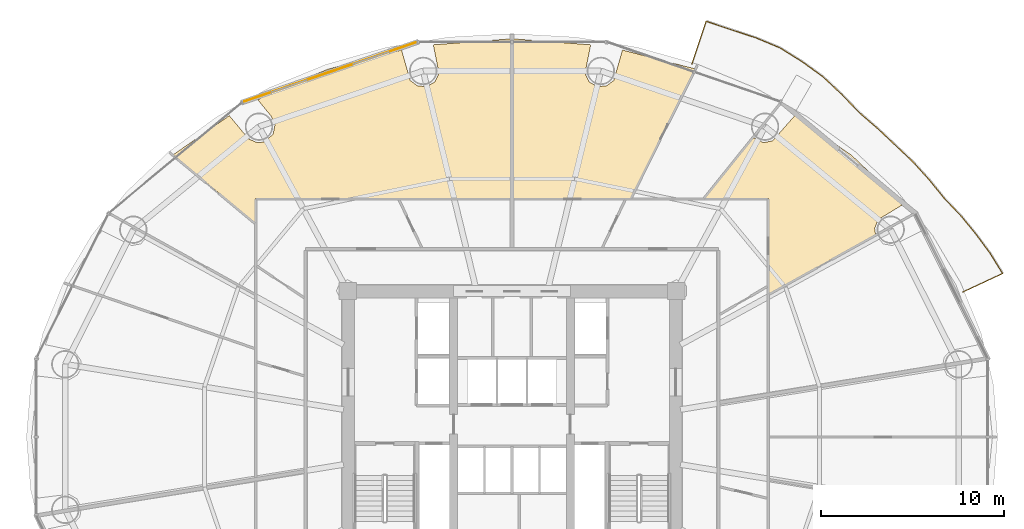
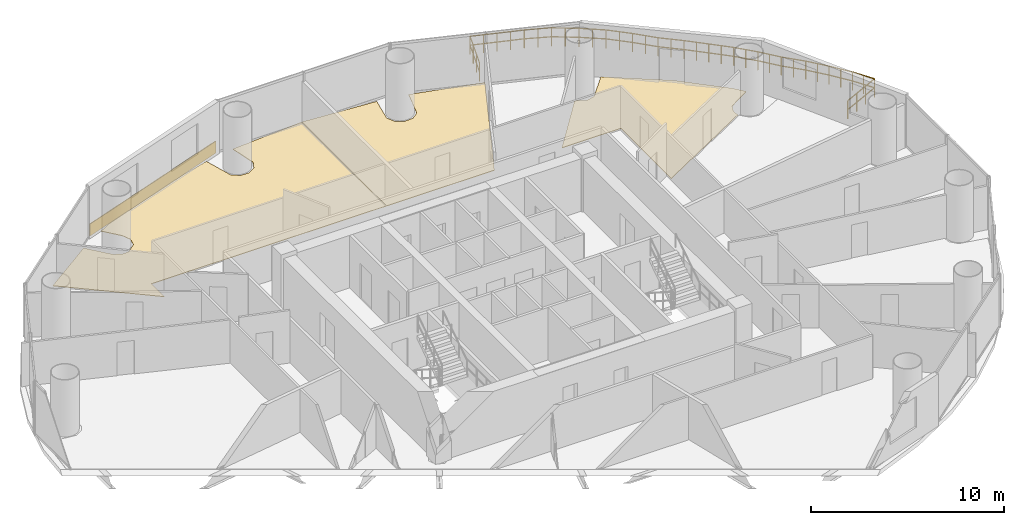
# One storey, part 29 of 29: 4 coverings, 1 railing.
"""IFC4 building model written with IfcOpenShell, lengths in metres."""

from ifc_helpers import new_model, si_unit, direction, frame, origin, origin_2d, place, context, subcontext, project, spatial, polyline, rectangle, outline, extrude, source, transform, mapped, material, layer, layer_set, type_object, element, save


model = new_model("IFC4")

# Units and contexts
model_context = context("Model", 3, precision=1e-05, world=origin(), true_north=direction((-0.2419218956, 0.970295726276)))
body_context = subcontext(model_context, "Body", "Model", "MODEL_VIEW")
ifc_project = project(units=[si_unit("LENGTHUNIT", "METRE"), si_unit("AREAUNIT", "SQUARE_METRE"), si_unit("VOLUMEUNIT", "CUBIC_METRE"), si_unit("PLANEANGLEUNIT", "RADIAN"), si_unit("MASSUNIT", "GRAM", prefix="KILO")], contexts=[model_context])

# Site, building, storey
site_placement = place(None, origin())
site = spatial("IfcSite", under=ifc_project, at=site_placement, CompositionType="ELEMENT")
building_placement = place(site_placement, origin())
building = spatial("IfcBuilding", under=site, at=building_placement, Name="Cobrevalo Terracotta Tower", CompositionType="ELEMENT")
storey_placement = place(building_placement, frame((0.0, 0.0, 87.0)))
storey = spatial("IfcBuildingStorey", under=building, at=storey_placement, Name="L22", CompositionType="ELEMENT", Elevation=87.0)

# Railing
ifc_material_1 = material(Name="Laminated structural glass and stainless steel", Category="steel")
railing_type = type_object("IfcRailingType", Name="Balcony lobe structural glass & terracotta-cap balustrade 1180 mm", PredefinedType="BALUSTRADE", material=ifc_material_1)
railing_placement = place(storey_placement, frame((62.689697265625, 34.739501953125, 0.0)))
element("IfcRailing", 1, at=railing_placement, inside=storey, type_object=railing_type, Name="L22 spiralling balcony lobe balustrade 1", PredefinedType="BALUSTRADE", context=body_context, shape_type="SweptSolid", body=[
    extrude(rectangle(XDim=0.048095703125, YDim=0.048095703125, at=origin_2d()), frame((0.0, 0.0, 1.15576171875), z_axis=(0.906583395985, 0.422026712573, 0.0), x_axis=(-0.422026712573, 0.906583395985, 0.0)), (0.0, 0.0, 1.0), 2.412841796875),
    extrude(rectangle(XDim=0.048095703125, YDim=0.048095703125, at=origin_2d()), frame((0.0, 0.0, 0.58984375), z_axis=(0.906583395985, 0.422026712573, 0.0), x_axis=(-0.422026712573, 0.906583395985, 0.0)), (0.0, 0.0, 1.0), 2.412841796875),
    extrude(rectangle(XDim=0.048095703125, YDim=0.048095703125, at=origin_2d()), frame((2.1875, 1.018310546875, 1.15576171875), z_axis=(-0.525516786945, 0.850783231287, 0.0), x_axis=(-0.850783231287, -0.525516786945, 0.0)), (0.0, 0.0, 1.0), 1.304443359375),
    extrude(rectangle(XDim=0.048095703125, YDim=0.048095703125, at=origin_2d()), frame((2.1875, 1.018310546875, 0.58984375), z_axis=(-0.525516786945, 0.850783231287, 0.0), x_axis=(-0.850783231287, -0.525516786945, 0.0)), (0.0, 0.0, 1.0), 1.304443359375),
    extrude(rectangle(XDim=0.048095703125, YDim=0.048095703125, at=origin_2d()), frame((1.501953125, 2.128173828125, 1.15576171875), z_axis=(-0.594150435451, 0.80435393954, 0.0), x_axis=(-0.80435393954, -0.594150435451, 0.0)), (0.0, 0.0, 1.0), 1.3125),
    extrude(rectangle(XDim=0.048095703125, YDim=0.048095703125, at=origin_2d()), frame((1.501953125, 2.128173828125, 0.58984375), z_axis=(-0.594150435451, 0.80435393954, 0.0), x_axis=(-0.80435393954, -0.594150435451, 0.0)), (0.0, 0.0, 1.0), 1.3125),
    extrude(rectangle(XDim=0.048095703125, YDim=0.048095703125, at=origin_2d()), frame((0.72216796875, 3.183837890625, 1.15576171875), z_axis=(-0.634270545782, 0.773111165845, 0.0), x_axis=(-0.773111165845, -0.634270545782, 0.0)), (0.0, 0.0, 1.0), 1.299560546875),
    extrude(rectangle(XDim=0.048095703125, YDim=0.048095703125, at=origin_2d()), frame((0.72216796875, 3.183837890625, 0.58984375), z_axis=(-0.634270545782, 0.773111165845, 0.0), x_axis=(-0.773111165845, -0.634270545782, 0.0)), (0.0, 0.0, 1.0), 1.299560546875),
    extrude(rectangle(XDim=0.048095703125, YDim=0.048095703125, at=origin_2d()), frame((-0.10205078125, 4.1884765625, 1.15576171875), z_axis=(-0.691386541153, 0.722485052241, 0.0), x_axis=(-0.722485052241, -0.691386541153, 0.0)), (0.0, 0.0, 1.0), 1.31884765625),
    extrude(rectangle(XDim=0.048095703125, YDim=0.048095703125, at=origin_2d()), frame((-0.10205078125, 4.1884765625, 0.58984375), z_axis=(-0.691386541153, 0.722485052241, 0.0), x_axis=(-0.722485052241, -0.691386541153, 0.0)), (0.0, 0.0, 1.0), 1.31884765625),
    extrude(rectangle(XDim=0.048095703125, YDim=0.048095703125, at=origin_2d()), frame((-1.013916015625, 5.141357421875, 1.15576171875), z_axis=(-0.627840259597, 0.778342218069, 0.0), x_axis=(-0.778342218069, -0.627840259597, 0.0)), (0.0, 0.0, 1.0), 1.30419921875),
    extrude(rectangle(XDim=0.048095703125, YDim=0.048095703125, at=origin_2d()), frame((-1.013916015625, 5.141357421875, 0.58984375), z_axis=(-0.627840259597, 0.778342218069, 0.0), x_axis=(-0.778342218069, -0.627840259597, 0.0)), (0.0, 0.0, 1.0), 1.30419921875),
    extrude(rectangle(XDim=0.048095703125, YDim=0.048095703125, at=origin_2d()), frame((-1.832763671875, 6.156494140625, 1.15576171875), z_axis=(-0.672830179342, 0.739796965232, 0.0), x_axis=(-0.739796965232, -0.672830179342, 0.0)), (0.0, 0.0, 1.0), 1.3125),
    extrude(rectangle(XDim=0.048095703125, YDim=0.048095703125, at=origin_2d()), frame((-1.832763671875, 6.156494140625, 0.58984375), z_axis=(-0.672830179342, 0.739796965232, 0.0), x_axis=(-0.739796965232, -0.672830179342, 0.0)), (0.0, 0.0, 1.0), 1.3125),
    extrude(rectangle(XDim=0.048095703125, YDim=0.048095703125, at=origin_2d()), frame((-2.7158203125, 7.12744140625, 1.15576171875), z_axis=(-0.725494251527, 0.688228225955, 0.0), x_axis=(-0.688228225955, -0.725494251527, 0.0)), (0.0, 0.0, 1.0), 1.329833984375),
    extrude(rectangle(XDim=0.048095703125, YDim=0.048095703125, at=origin_2d()), frame((-2.7158203125, 7.12744140625, 0.58984375), z_axis=(-0.725494251527, 0.688228225955, 0.0), x_axis=(-0.688228225955, -0.725494251527, 0.0)), (0.0, 0.0, 1.0), 1.329833984375),
    extrude(rectangle(XDim=0.048095703125, YDim=0.048095703125, at=origin_2d()), frame((-3.6806640625, 8.042724609375, 1.15576171875), z_axis=(-0.727751918233, 0.685840466514, 0.0), x_axis=(-0.685840466514, -0.727751918233, 0.0)), (0.0, 0.0, 1.0), 1.328125),
    extrude(rectangle(XDim=0.048095703125, YDim=0.048095703125, at=origin_2d()), frame((-3.6806640625, 8.042724609375, 0.58984375), z_axis=(-0.727751918233, 0.685840466514, 0.0), x_axis=(-0.685840466514, -0.727751918233, 0.0)), (0.0, 0.0, 1.0), 1.328125),
    extrude(rectangle(XDim=0.048095703125, YDim=0.048095703125, at=origin_2d()), frame((-4.647216796875, 8.95361328125, 1.15576171875), z_axis=(-0.756527057289, 0.653962393101, 0.0), x_axis=(-0.653962393101, -0.756527057289, 0.0)), (0.0, 0.0, 1.0), 1.3544921875),
    extrude(rectangle(XDim=0.048095703125, YDim=0.048095703125, at=origin_2d()), frame((-4.647216796875, 8.95361328125, 0.58984375), z_axis=(-0.756527057289, 0.653962393101, 0.0), x_axis=(-0.653962393101, -0.756527057289, 0.0)), (0.0, 0.0, 1.0), 1.3544921875),
    extrude(rectangle(XDim=0.048095703125, YDim=0.048095703125, at=origin_2d()), frame((-5.671875, 9.83935546875, 1.15576171875), z_axis=(-0.69163788445, 0.722244443934, 0.0), x_axis=(-0.722244443934, -0.69163788445, 0.0)), (0.0, 0.0, 1.0), 1.387939453125),
    extrude(rectangle(XDim=0.048095703125, YDim=0.048095703125, at=origin_2d()), frame((-5.671875, 9.83935546875, 0.58984375), z_axis=(-0.69163788445, 0.722244443934, 0.0), x_axis=(-0.722244443934, -0.69163788445, 0.0)), (0.0, 0.0, 1.0), 1.387939453125),
    extrude(rectangle(XDim=0.048095703125, YDim=0.048095703125, at=origin_2d()), frame((-6.6318359375, 10.841796875, 1.15576171875), z_axis=(-0.730621259847, 0.682782963071, 0.0), x_axis=(-0.682782963071, -0.730621259847, 0.0)), (0.0, 0.0, 1.0), 1.403564453125),
    extrude(rectangle(XDim=0.048095703125, YDim=0.048095703125, at=origin_2d()), frame((-6.6318359375, 10.841796875, 0.58984375), z_axis=(-0.730621259847, 0.682782963071, 0.0), x_axis=(-0.682782963071, -0.730621259847, 0.0)), (0.0, 0.0, 1.0), 1.403564453125),
    extrude(rectangle(XDim=0.048095703125, YDim=0.048095703125, at=origin_2d()), frame((-7.6572265625, 11.800048828125, 1.15576171875), z_axis=(-0.809673898157, 0.586880037694, 0.0), x_axis=(-0.586880037694, -0.809673898157, 0.0)), (0.0, 0.0, 1.0), 1.4169921875),
    extrude(rectangle(XDim=0.048095703125, YDim=0.048095703125, at=origin_2d()), frame((-7.6572265625, 11.800048828125, 0.58984375), z_axis=(-0.809673898157, 0.586880037694, 0.0), x_axis=(-0.586880037694, -0.809673898157, 0.0)), (0.0, 0.0, 1.0), 1.4169921875),
    extrude(rectangle(XDim=0.048095703125, YDim=0.048095703125, at=origin_2d()), frame((-8.804443359375, 12.631591796875, 1.15576171875), z_axis=(-0.848742349004, 0.528806604543, 0.0), x_axis=(-0.528806604543, -0.848742349004, 0.0)), (0.0, 0.0, 1.0), 1.417724609375),
    extrude(rectangle(XDim=0.048095703125, YDim=0.048095703125, at=origin_2d()), frame((-8.804443359375, 12.631591796875, 0.58984375), z_axis=(-0.848742349004, 0.528806604543, 0.0), x_axis=(-0.528806604543, -0.848742349004, 0.0)), (0.0, 0.0, 1.0), 1.417724609375),
    extrude(rectangle(XDim=0.048095703125, YDim=0.048095703125, at=origin_2d()), frame((-10.0078125, 13.38134765625, 1.15576171875), z_axis=(-0.923152562298, 0.384433800181, 0.0), x_axis=(-0.384433800181, -0.923152562298, 0.0)), (0.0, 0.0, 1.0), 1.43212890625),
    extrude(rectangle(XDim=0.048095703125, YDim=0.048095703125, at=origin_2d()), frame((-10.0078125, 13.38134765625, 0.58984375), z_axis=(-0.923152562298, 0.384433800181, 0.0), x_axis=(-0.384433800181, -0.923152562298, 0.0)), (0.0, 0.0, 1.0), 1.43212890625),
    extrude(rectangle(XDim=0.048095703125, YDim=0.048095703125, at=origin_2d()), frame((-11.329833984375, 13.931884765625, 1.15576171875), z_axis=(-0.950335020269, 0.311228773173, 0.0), x_axis=(-0.311228773173, -0.950335020269, 0.0)), (0.0, 0.0, 1.0), 1.43701171875),
    extrude(rectangle(XDim=0.048095703125, YDim=0.048095703125, at=origin_2d()), frame((-11.329833984375, 13.931884765625, 0.58984375), z_axis=(-0.950335020269, 0.311228773173, 0.0), x_axis=(-0.311228773173, -0.950335020269, 0.0)), (0.0, 0.0, 1.0), 1.43701171875),
    extrude(rectangle(XDim=0.048095703125, YDim=0.048095703125, at=origin_2d()), frame((-12.695556640625, 14.379150390625, 1.15576171875), z_axis=(-0.947947358195, 0.318427081279, 0.0), x_axis=(-0.318427081279, -0.947947358195, 0.0)), (0.0, 0.0, 1.0), 1.431396484375),
    extrude(rectangle(XDim=0.048095703125, YDim=0.048095703125, at=origin_2d()), frame((-12.695556640625, 14.379150390625, 0.58984375), z_axis=(-0.947947358195, 0.318427081279, 0.0), x_axis=(-0.318427081279, -0.947947358195, 0.0)), (0.0, 0.0, 1.0), 1.431396484375),
    extrude(rectangle(XDim=0.048095703125, YDim=0.048095703125, at=origin_2d()), frame((-14.052490234375, 14.8349609375, 1.15576171875), z_axis=(-0.316286737451, -0.948663638869, 0.0), x_axis=(0.948663638869, -0.316286737451, 0.0)), (0.0, 0.0, 1.0), 2.48388671875),
    extrude(rectangle(XDim=0.048095703125, YDim=0.048095703125, at=origin_2d()), frame((-14.052490234375, 14.8349609375, 0.58984375), z_axis=(-0.316286737451, -0.948663638869, 0.0), x_axis=(0.948663638869, -0.316286737451, 0.0)), (0.0, 0.0, 1.0), 2.48388671875),
    extrude(rectangle(XDim=0.0419921875, YDim=0.0419921875, at=origin_2d()), origin(), (0.0, 0.0, 1.0), 1.1318359375),
    extrude(rectangle(XDim=0.0419921875, YDim=0.0419921875, at=origin_2d()), frame((0.729248046875, 0.33935546875, 0.0)), (0.0, 0.0, 1.0), 1.1318359375),
    extrude(rectangle(XDim=0.0419921875, YDim=0.0419921875, at=origin_2d()), frame((1.458251953125, 0.678955078125, 0.0)), (0.0, 0.0, 1.0), 1.1318359375),
    extrude(rectangle(XDim=0.0419921875, YDim=0.0419921875, at=origin_2d()), frame((2.1875, 1.018310546875, 0.0)), (0.0, 0.0, 1.0), 1.1318359375),
    extrude(rectangle(XDim=0.0419921875, YDim=0.0419921875, at=origin_2d()), frame((1.8447265625, 1.5732421875, 0.0)), (0.0, 0.0, 1.0), 1.1318359375),
    extrude(rectangle(XDim=0.0419921875, YDim=0.0419921875, at=origin_2d()), frame((1.501953125, 2.128173828125, 0.0)), (0.0, 0.0, 1.0), 1.1318359375),
    extrude(rectangle(XDim=0.0419921875, YDim=0.0419921875, at=origin_2d()), frame((1.112060546875, 2.656005859375, 0.0)), (0.0, 0.0, 1.0), 1.1318359375),
    extrude(rectangle(XDim=0.0419921875, YDim=0.0419921875, at=origin_2d()), frame((0.72216796875, 3.183837890625, 0.0)), (0.0, 0.0, 1.0), 1.1318359375),
    extrude(rectangle(XDim=0.0419921875, YDim=0.0419921875, at=origin_2d()), frame((0.31005859375, 3.68603515625, 0.0)), (0.0, 0.0, 1.0), 1.1318359375),
    extrude(rectangle(XDim=0.0419921875, YDim=0.0419921875, at=origin_2d()), frame((-0.10205078125, 4.1884765625, 0.0)), (0.0, 0.0, 1.0), 1.1318359375),
    extrude(rectangle(XDim=0.0419921875, YDim=0.0419921875, at=origin_2d()), frame((-0.55810546875, 4.6650390625, 0.0)), (0.0, 0.0, 1.0), 1.1318359375),
    extrude(rectangle(XDim=0.0419921875, YDim=0.0419921875, at=origin_2d()), frame((-1.013916015625, 5.141357421875, 0.0)), (0.0, 0.0, 1.0), 1.1318359375),
    extrude(rectangle(XDim=0.0419921875, YDim=0.0419921875, at=origin_2d()), frame((-1.42333984375, 5.64892578125, 0.0)), (0.0, 0.0, 1.0), 1.1318359375),
    extrude(rectangle(XDim=0.0419921875, YDim=0.0419921875, at=origin_2d()), frame((-1.832763671875, 6.156494140625, 0.0)), (0.0, 0.0, 1.0), 1.1318359375),
    extrude(rectangle(XDim=0.0419921875, YDim=0.0419921875, at=origin_2d()), frame((-2.2744140625, 6.64208984375, 0.0)), (0.0, 0.0, 1.0), 1.1318359375),
    extrude(rectangle(XDim=0.0419921875, YDim=0.0419921875, at=origin_2d()), frame((-2.7158203125, 7.12744140625, 0.0)), (0.0, 0.0, 1.0), 1.1318359375),
    extrude(rectangle(XDim=0.0419921875, YDim=0.0419921875, at=origin_2d()), frame((-3.1982421875, 7.5849609375, 0.0)), (0.0, 0.0, 1.0), 1.1318359375),
    extrude(rectangle(XDim=0.0419921875, YDim=0.0419921875, at=origin_2d()), frame((-3.6806640625, 8.042724609375, 0.0)), (0.0, 0.0, 1.0), 1.1318359375),
    extrude(rectangle(XDim=0.0419921875, YDim=0.0419921875, at=origin_2d()), frame((-4.1640625, 8.498046875, 0.0)), (0.0, 0.0, 1.0), 1.1318359375),
    extrude(rectangle(XDim=0.0419921875, YDim=0.0419921875, at=origin_2d()), frame((-4.647216796875, 8.95361328125, 0.0)), (0.0, 0.0, 1.0), 1.1318359375),
    extrude(rectangle(XDim=0.0419921875, YDim=0.0419921875, at=origin_2d()), frame((-5.15966796875, 9.396484375, 0.0)), (0.0, 0.0, 1.0), 1.1318359375),
    extrude(rectangle(XDim=0.0419921875, YDim=0.0419921875, at=origin_2d()), frame((-5.671875, 9.83935546875, 0.0)), (0.0, 0.0, 1.0), 1.1318359375),
    extrude(rectangle(XDim=0.0419921875, YDim=0.0419921875, at=origin_2d()), frame((-6.15185546875, 10.340576171875, 0.0)), (0.0, 0.0, 1.0), 1.1318359375),
    extrude(rectangle(XDim=0.0419921875, YDim=0.0419921875, at=origin_2d()), frame((-6.6318359375, 10.841796875, 0.0)), (0.0, 0.0, 1.0), 1.1318359375),
    extrude(rectangle(XDim=0.0419921875, YDim=0.0419921875, at=origin_2d()), frame((-7.14453125, 11.32080078125, 0.0)), (0.0, 0.0, 1.0), 1.1318359375),
    extrude(rectangle(XDim=0.0419921875, YDim=0.0419921875, at=origin_2d()), frame((-7.6572265625, 11.800048828125, 0.0)), (0.0, 0.0, 1.0), 1.1318359375),
    extrude(rectangle(XDim=0.0419921875, YDim=0.0419921875, at=origin_2d()), frame((-8.23095703125, 12.2158203125, 0.0)), (0.0, 0.0, 1.0), 1.1318359375),
    extrude(rectangle(XDim=0.0419921875, YDim=0.0419921875, at=origin_2d()), frame((-8.804443359375, 12.631591796875, 0.0)), (0.0, 0.0, 1.0), 1.1318359375),
    extrude(rectangle(XDim=0.0419921875, YDim=0.0419921875, at=origin_2d()), frame((-9.40625, 13.00634765625, 0.0)), (0.0, 0.0, 1.0), 1.1318359375),
    extrude(rectangle(XDim=0.0419921875, YDim=0.0419921875, at=origin_2d()), frame((-10.0078125, 13.38134765625, 0.0)), (0.0, 0.0, 1.0), 1.1318359375),
    extrude(rectangle(XDim=0.0419921875, YDim=0.0419921875, at=origin_2d()), frame((-10.6689453125, 13.65673828125, 0.0)), (0.0, 0.0, 1.0), 1.1318359375),
    extrude(rectangle(XDim=0.0419921875, YDim=0.0419921875, at=origin_2d()), frame((-11.329833984375, 13.931884765625, 0.0)), (0.0, 0.0, 1.0), 1.1318359375),
    extrude(rectangle(XDim=0.0419921875, YDim=0.0419921875, at=origin_2d()), frame((-12.0126953125, 14.155517578125, 0.0)), (0.0, 0.0, 1.0), 1.1318359375),
    extrude(rectangle(XDim=0.0419921875, YDim=0.0419921875, at=origin_2d()), frame((-12.695556640625, 14.379150390625, 0.0)), (0.0, 0.0, 1.0), 1.1318359375),
    extrude(rectangle(XDim=0.0419921875, YDim=0.0419921875, at=origin_2d()), frame((-13.3740234375, 14.60693359375, 0.0)), (0.0, 0.0, 1.0), 1.1318359375),
    extrude(rectangle(XDim=0.0419921875, YDim=0.0419921875, at=origin_2d()), frame((-14.052490234375, 14.8349609375, 0.0)), (0.0, 0.0, 1.0), 1.1318359375),
    extrude(rectangle(XDim=0.0419921875, YDim=0.0419921875, at=origin_2d()), frame((-14.314453125, 14.049560546875, 0.0)), (0.0, 0.0, 1.0), 1.1318359375),
    extrude(rectangle(XDim=0.0419921875, YDim=0.0419921875, at=origin_2d()), frame((-14.576171875, 13.263916015625, 0.0)), (0.0, 0.0, 1.0), 1.1318359375),
    extrude(rectangle(XDim=0.0419921875, YDim=0.0419921875, at=origin_2d()), frame((-14.838134765625, 12.478515625, 0.0)), (0.0, 0.0, 1.0), 1.1318359375),
])

# Coverings
ifc_material_2 = material(Name="Engineered Brazilian hardwood flooring", Category="wood")
ifc_layer_1 = layer(ifc_material_2, 0.028076171875)
ifc_layer_set_1 = layer_set([ifc_layer_1], Name="Engineered Brazilian hardwood flooring")
covering_type_1 = type_object("IfcCoveringType", Name="Engineered Hardwood Suite Flooring 28", PredefinedType="FLOORING", material=ifc_layer_set_1)
covering_1_placement = place(storey_placement, origin())
element("IfcCovering", 2, at=covering_1_placement, inside=storey, type_object=covering_type_1, Name="Flat L22A Master Bedroom floor finish", PredefinedType="FLOORING", context=body_context, shape_type="SweptSolid", body=[
    extrude(outline(polyline([(56.6123046875, 42.227783203125), (58.882080078125, 40.081787109375), (59.35302734375, 39.49755859375), (58.05908203125, 38.712890625), (57.868408203125, 38.23876953125), (57.916259765625, 37.879150390625), (52.054931640625, 34.62548828125), (52.054931640625, 39.85498046875), (48.52490234375, 39.85498046875), (51.219970703125, 43.2060546875), (51.778076171875, 42.927490234375), (52.27880859375, 43.02880859375), (53.488525390625, 44.40673828125), (56.6123046875, 42.227783203125)])), origin(), (0.0, 0.0, 1.0), 0.030029296875),
])
covering_2_placement = place(storey_placement, origin())
element("IfcCovering", 3, at=covering_2_placement, inside=storey, type_object=covering_type_1, Name="Flat L22A Penthouse Family Lounge floor finish", PredefinedType="FLOORING", context=body_context, shape_type="SweptSolid", body=[
    extrude(outline(polyline([(44.486328125, 39.85498046875), (38.02001953125, 39.85498046875), (38.02001953125, 48.618896484375), (42.3095703125, 48.2890625), (41.997802734375, 46.721435546875), (42.2197265625, 46.26123046875), (42.659912109375, 46.001708984375), (43.170166015625, 46.030517578125), (43.578125, 46.337890625), (44.05078125, 48.001953125), (48.033447265625, 46.9697265625), (44.486328125, 39.85498046875)])), origin(), (0.0, 0.0, 1.0), 0.030029296875),
])
covering_3_placement = place(storey_placement, origin())
element("IfcCovering", 4, at=covering_3_placement, inside=storey, type_object=covering_type_1, Name="Flat L22B Penthouse Living and Dining Room floor finish", PredefinedType="FLOORING", context=body_context, shape_type="SweptSolid", body=[
    extrude(outline(polyline([(22.511474609375, 44.40673828125), (23.577880859375, 43.125), (24.04931640625, 42.927978515625), (24.391357421875, 42.96044921875), (24.913330078125, 43.38623046875), (25.0146484375, 43.886962890625), (24.8212890625, 44.35888671875), (24.07568359375, 45.273193359375), (24.838623046875, 45.696044921875), (27.926513671875, 46.95849609375), (31.94921875, 48.001953125), (32.421875, 46.337890625), (32.829833984375, 46.030517578125), (33.340087890625, 46.001708984375), (33.7802734375, 46.26123046875), (34.002197265625, 46.721435546875), (33.6904296875, 48.2890625), (37.97998046875, 48.618896484375), (37.97998046875, 39.85498046875), (23.945068359375, 39.85498046875), (23.945068359375, 38.503173828125), (19.42724609375, 42.256591796875), (22.511474609375, 44.40673828125)])), origin(), (0.0, 0.0, 1.0), 0.030029296875),
])
ifc_material_3 = material(Name="Glazed terracotta facade cladding tile", Category="masonry")
ifc_layer_2 = layer(ifc_material_3, 0.044921875)
ifc_layer_set_2 = layer_set([ifc_layer_2], Name="Glazed terracotta facade cladding tile")
covering_type_2 = type_object("IfcCoveringType", Name="Architectural terracotta rainscreen spandrel cladding 45 mm", PredefinedType="CLADDING", material=ifc_layer_set_2)
shared_shape = source(origin(), body_context, "Body", "SweptSolid", [
    extrude(rectangle(XDim=9.928955078125, YDim=0.044921875, at=origin_2d()), origin(), (0.0, 0.0, 1.0), 0.760009765625),
])
covering_4_placement = place(storey_placement, frame((28.027587890625, 46.79833984375, 0.0400390625), z_axis=(0.0, 0.0, 1.0), x_axis=(-0.945596395206, -0.325342062104, 0.0)))
element("IfcCovering", 5, at=covering_4_placement, inside=storey, type_object=covering_type_2, Name="L22 terracotta spandrel cladding S05", PredefinedType="CLADDING", context=body_context, shape_type="MappedRepresentation", body=[
    mapped(shared_shape, transform((0.0, 0.0, 0.0), scale=1.0)),
])

save(model, "model.ifc")
